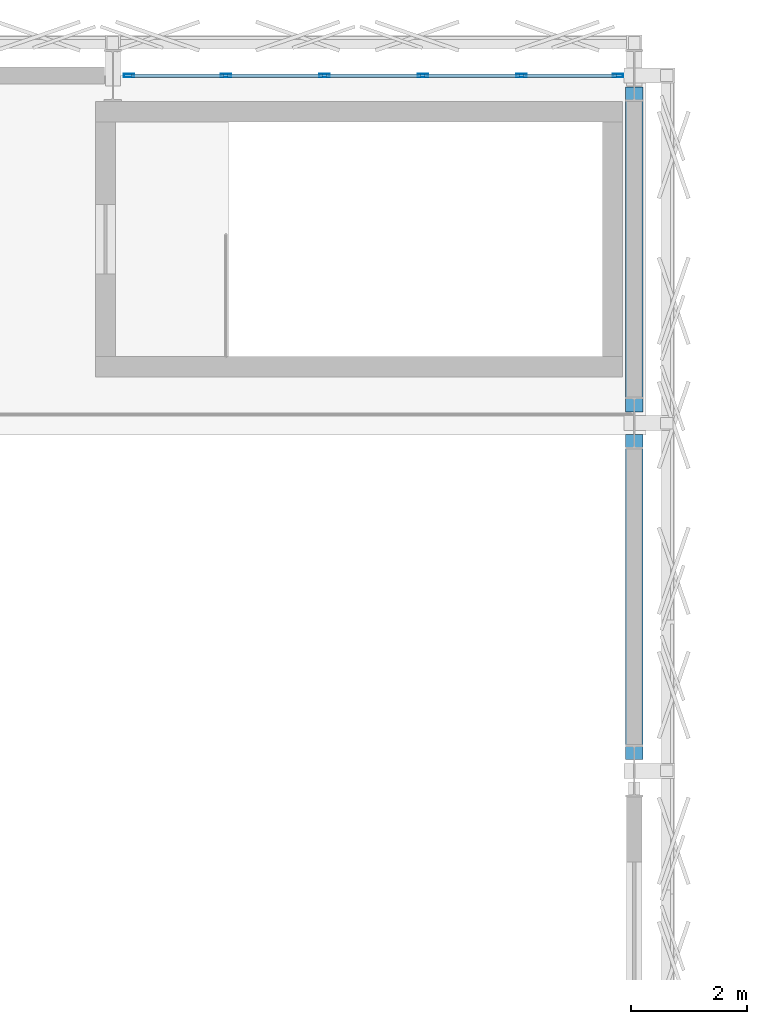
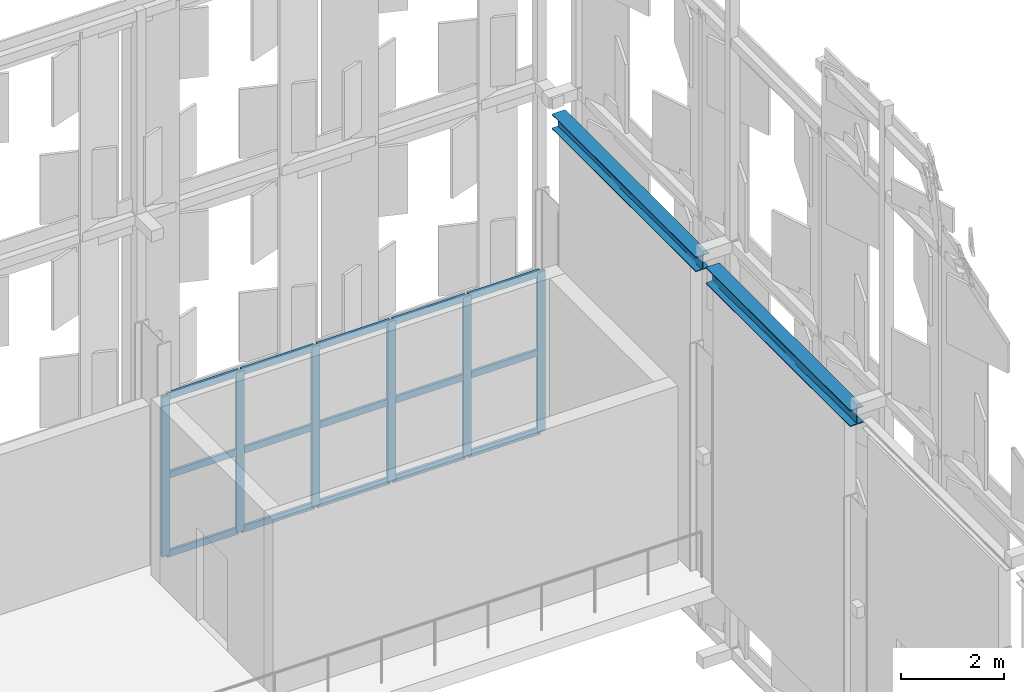
# One storey, part 89 of 210: 21 members, 2 beams, 1 element without a shape of its own.
"""IFC4 building model written with IfcOpenShell, lengths in metres."""

from ifc_helpers import new_model, si_unit, direction, frame, origin, origin_2d, place, context, subcontext, project, spatial, hollow_rectangle, i_section, extrude, material, material_profile, profile_set, type_object, element, aggregate, save


model = new_model("IFC4")

# Units and contexts
model_context = context("Model", 3, precision=1e-05, world=origin(), true_north=direction((0.0, 1.0)))
body_context = subcontext(model_context, "Body", "Model", "MODEL_VIEW")
ifc_project = project(units=[si_unit("LENGTHUNIT", "METRE"), si_unit("AREAUNIT", "SQUARE_METRE"), si_unit("VOLUMEUNIT", "CUBIC_METRE"), si_unit("PLANEANGLEUNIT", "RADIAN"), si_unit("MASSUNIT", "GRAM", prefix="KILO")], contexts=[model_context])

# Site, building, storey
site_placement = place(None, origin())
site = spatial("IfcSite", under=ifc_project, at=site_placement, CompositionType="ELEMENT")
building_placement = place(site_placement, origin())
building = spatial("IfcBuilding", under=site, at=building_placement, Name="Kaldris Quays Convention Centre", CompositionType="ELEMENT")
storey_placement = place(building_placement, frame((0.0, 0.0, 6.0)))
storey = spatial("IfcBuildingStorey", under=building, at=storey_placement, Name="L01", CompositionType="ELEMENT", Elevation=6.0)

# Curtain wall, members
ifc_material_1 = material(Name="Anodized aluminium AW-6060 and triple glazing", Category="aluminium")
curtain_wall_type = type_object("IfcCurtainWallType", Name="UNITISED CURTAIN WALL CW05", PredefinedType="NOTDEFINED", material=ifc_material_1)
curtain_wall_placement = place(storey_placement, origin())
curtain_wall = element("IfcCurtainWall", 1, at=curtain_wall_placement, inside=storey, type_object=curtain_wall_type, Name="L01 Unitised Curtain Wall CW05 14", PredefinedType="NOTDEFINED")
ifc_material_2 = material(Name="Anodized aluminium AW-6060", Category="aluminium")
ifc_material_profile_1 = material_profile(ifc_material_2, hollow_rectangle(XDim=0.06005859375, YDim=0.179931640625, WallThickness=0.0048828125, at=origin_2d()), Name="RHS 180x60x5")
ifc_profile_set_1 = profile_set([ifc_material_profile_1], Name="Anodized aluminium AW-6060")
member_type_1 = type_object("IfcMemberType", Name="CURTAIN MULLION CWM2", PredefinedType="MULLION", material=ifc_profile_set_1)
member_1_placement = place(storey_placement, frame((137.280029296875, 140.0, 0.0), z_axis=(0.0, 0.0, 1.0), x_axis=(0.0, 1.0, 0.0)))
member_1 = element("IfcMember", 2, at=member_1_placement, type_object=member_type_1, Name="CW05 mullion 1", PredefinedType="MULLION", context=body_context, shape_type="SweptSolid", body=[
    extrude(hollow_rectangle(XDim=0.06005859375, YDim=0.179931640625, WallThickness=0.0048828125, at=origin_2d()), origin(), (0.0, 0.0, 1.0), 3.800048828125),
])
member_2_placement = place(storey_placement, frame((138.949951171875, 140.0, 0.0), z_axis=(0.0, 0.0, 1.0), x_axis=(0.0, 1.0, 0.0)))
member_2 = element("IfcMember", 3, at=member_2_placement, type_object=member_type_1, Name="CW05 mullion 2", PredefinedType="MULLION", context=body_context, shape_type="SweptSolid", body=[
    extrude(hollow_rectangle(XDim=0.06005859375, YDim=0.179931640625, WallThickness=0.0048828125, at=origin_2d()), origin(), (0.0, 0.0, 1.0), 3.800048828125),
])
member_3_placement = place(storey_placement, frame((140.64990234375, 140.0, 0.0), z_axis=(0.0, 0.0, 1.0), x_axis=(0.0, 1.0, 0.0)))
member_3 = element("IfcMember", 4, at=member_3_placement, type_object=member_type_1, Name="CW05 mullion 3", PredefinedType="MULLION", context=body_context, shape_type="SweptSolid", body=[
    extrude(hollow_rectangle(XDim=0.06005859375, YDim=0.179931640625, WallThickness=0.0048828125, at=origin_2d()), origin(), (0.0, 0.0, 1.0), 3.800048828125),
])
member_4_placement = place(storey_placement, frame((142.35009765625, 140.0, 0.0), z_axis=(0.0, 0.0, 1.0), x_axis=(0.0, 1.0, 0.0)))
member_4 = element("IfcMember", 5, at=member_4_placement, type_object=member_type_1, Name="CW05 mullion 4", PredefinedType="MULLION", context=body_context, shape_type="SweptSolid", body=[
    extrude(hollow_rectangle(XDim=0.06005859375, YDim=0.179931640625, WallThickness=0.0048828125, at=origin_2d()), origin(), (0.0, 0.0, 1.0), 3.800048828125),
])
member_5_placement = place(storey_placement, frame((144.050048828125, 140.0, 0.0), z_axis=(0.0, 0.0, 1.0), x_axis=(0.0, 1.0, 0.0)))
member_5 = element("IfcMember", 6, at=member_5_placement, type_object=member_type_1, Name="CW05 mullion 5", PredefinedType="MULLION", context=body_context, shape_type="SweptSolid", body=[
    extrude(hollow_rectangle(XDim=0.06005859375, YDim=0.179931640625, WallThickness=0.0048828125, at=origin_2d()), origin(), (0.0, 0.0, 1.0), 3.800048828125),
])
member_6_placement = place(storey_placement, frame((145.719970703125, 140.0, 0.0), z_axis=(0.0, 0.0, 1.0), x_axis=(0.0, 1.0, 0.0)))
member_6 = element("IfcMember", 7, at=member_6_placement, type_object=member_type_1, Name="CW05 mullion 6", PredefinedType="MULLION", context=body_context, shape_type="SweptSolid", body=[
    extrude(hollow_rectangle(XDim=0.06005859375, YDim=0.179931640625, WallThickness=0.0048828125, at=origin_2d()), origin(), (0.0, 0.0, 1.0), 3.800048828125),
])
ifc_material_profile_2 = material_profile(ifc_material_2, hollow_rectangle(XDim=0.06005859375, YDim=0.159912109375, WallThickness=0.00390625, at=origin_2d()), Name="RHS 160x60x4")
ifc_profile_set_2 = profile_set([ifc_material_profile_2], Name="Anodized aluminium AW-6060")
member_type_2 = type_object("IfcMemberType", Name="CURTAIN TRANSOM CWT2", PredefinedType="USERDEFINED", material=ifc_profile_set_2)
member_7_placement = place(storey_placement, frame((137.31005859375, 140.0, 0.030029296875), z_axis=(1.0, 0.0, 0.0), x_axis=(0.0, 1.0, 0.0)))
member_7 = element("IfcMember", 8, at=member_7_placement, type_object=member_type_2, Name="CW05 transom 1.1", ObjectType="TRANSOM", PredefinedType="USERDEFINED", context=body_context, shape_type="SweptSolid", body=[
    extrude(hollow_rectangle(XDim=0.06005859375, YDim=0.159912109375, WallThickness=0.00390625, at=origin_2d()), origin(), (0.0, 0.0, 1.0), 1.60986328125),
])
member_8_placement = place(storey_placement, frame((137.31005859375, 140.0, 1.89990234375), z_axis=(1.0, 0.0, 0.0), x_axis=(0.0, 1.0, 0.0)))
member_8 = element("IfcMember", 9, at=member_8_placement, type_object=member_type_2, Name="CW05 transom 1.2", ObjectType="TRANSOM", PredefinedType="USERDEFINED", context=body_context, shape_type="SweptSolid", body=[
    extrude(hollow_rectangle(XDim=0.06005859375, YDim=0.159912109375, WallThickness=0.00390625, at=origin_2d()), origin(), (0.0, 0.0, 1.0), 1.60986328125),
])
member_9_placement = place(storey_placement, frame((137.31005859375, 140.0, 3.77001953125), z_axis=(1.0, 0.0, 0.0), x_axis=(0.0, 1.0, 0.0)))
member_9 = element("IfcMember", 10, at=member_9_placement, type_object=member_type_2, Name="CW05 transom 1.3", ObjectType="TRANSOM", PredefinedType="USERDEFINED", context=body_context, shape_type="SweptSolid", body=[
    extrude(hollow_rectangle(XDim=0.06005859375, YDim=0.159912109375, WallThickness=0.00390625, at=origin_2d()), origin(), (0.0, 0.0, 1.0), 1.60986328125),
])
member_10_placement = place(storey_placement, frame((138.97998046875, 140.0, 0.030029296875), z_axis=(1.0, 0.0, 0.0), x_axis=(0.0, 1.0, 0.0)))
member_10 = element("IfcMember", 11, at=member_10_placement, type_object=member_type_2, Name="CW05 transom 2.1", ObjectType="TRANSOM", PredefinedType="USERDEFINED", context=body_context, shape_type="SweptSolid", body=[
    extrude(hollow_rectangle(XDim=0.06005859375, YDim=0.159912109375, WallThickness=0.00390625, at=origin_2d()), origin(), (0.0, 0.0, 1.0), 1.64013671875),
])
member_11_placement = place(storey_placement, frame((138.97998046875, 140.0, 1.89990234375), z_axis=(1.0, 0.0, 0.0), x_axis=(0.0, 1.0, 0.0)))
member_11 = element("IfcMember", 12, at=member_11_placement, type_object=member_type_2, Name="CW05 transom 2.2", ObjectType="TRANSOM", PredefinedType="USERDEFINED", context=body_context, shape_type="SweptSolid", body=[
    extrude(hollow_rectangle(XDim=0.06005859375, YDim=0.159912109375, WallThickness=0.00390625, at=origin_2d()), origin(), (0.0, 0.0, 1.0), 1.64013671875),
])
member_12_placement = place(storey_placement, frame((138.97998046875, 140.0, 3.77001953125), z_axis=(1.0, 0.0, 0.0), x_axis=(0.0, 1.0, 0.0)))
member_12 = element("IfcMember", 13, at=member_12_placement, type_object=member_type_2, Name="CW05 transom 2.3", ObjectType="TRANSOM", PredefinedType="USERDEFINED", context=body_context, shape_type="SweptSolid", body=[
    extrude(hollow_rectangle(XDim=0.06005859375, YDim=0.159912109375, WallThickness=0.00390625, at=origin_2d()), origin(), (0.0, 0.0, 1.0), 1.64013671875),
])
member_13_placement = place(storey_placement, frame((140.679931640625, 140.0, 0.030029296875), z_axis=(1.0, 0.0, 0.0), x_axis=(0.0, 1.0, 0.0)))
member_13 = element("IfcMember", 14, at=member_13_placement, type_object=member_type_2, Name="CW05 transom 3.1", ObjectType="TRANSOM", PredefinedType="USERDEFINED", context=body_context, shape_type="SweptSolid", body=[
    extrude(hollow_rectangle(XDim=0.06005859375, YDim=0.159912109375, WallThickness=0.00390625, at=origin_2d()), origin(), (0.0, 0.0, 1.0), 1.64013671875),
])
member_14_placement = place(storey_placement, frame((140.679931640625, 140.0, 1.89990234375), z_axis=(1.0, 0.0, 0.0), x_axis=(0.0, 1.0, 0.0)))
member_14 = element("IfcMember", 15, at=member_14_placement, type_object=member_type_2, Name="CW05 transom 3.2", ObjectType="TRANSOM", PredefinedType="USERDEFINED", context=body_context, shape_type="SweptSolid", body=[
    extrude(hollow_rectangle(XDim=0.06005859375, YDim=0.159912109375, WallThickness=0.00390625, at=origin_2d()), origin(), (0.0, 0.0, 1.0), 1.64013671875),
])
member_15_placement = place(storey_placement, frame((140.679931640625, 140.0, 3.77001953125), z_axis=(1.0, 0.0, 0.0), x_axis=(0.0, 1.0, 0.0)))
member_15 = element("IfcMember", 16, at=member_15_placement, type_object=member_type_2, Name="CW05 transom 3.3", ObjectType="TRANSOM", PredefinedType="USERDEFINED", context=body_context, shape_type="SweptSolid", body=[
    extrude(hollow_rectangle(XDim=0.06005859375, YDim=0.159912109375, WallThickness=0.00390625, at=origin_2d()), origin(), (0.0, 0.0, 1.0), 1.64013671875),
])
member_16_placement = place(storey_placement, frame((142.3798828125, 140.0, 0.030029296875), z_axis=(1.0, 0.0, 0.0), x_axis=(0.0, 1.0, 0.0)))
member_16 = element("IfcMember", 17, at=member_16_placement, type_object=member_type_2, Name="CW05 transom 4.1", ObjectType="TRANSOM", PredefinedType="USERDEFINED", context=body_context, shape_type="SweptSolid", body=[
    extrude(hollow_rectangle(XDim=0.06005859375, YDim=0.159912109375, WallThickness=0.00390625, at=origin_2d()), origin(), (0.0, 0.0, 1.0), 1.64013671875),
])
member_17_placement = place(storey_placement, frame((142.3798828125, 140.0, 1.89990234375), z_axis=(1.0, 0.0, 0.0), x_axis=(0.0, 1.0, 0.0)))
member_17 = element("IfcMember", 18, at=member_17_placement, type_object=member_type_2, Name="CW05 transom 4.2", ObjectType="TRANSOM", PredefinedType="USERDEFINED", context=body_context, shape_type="SweptSolid", body=[
    extrude(hollow_rectangle(XDim=0.06005859375, YDim=0.159912109375, WallThickness=0.00390625, at=origin_2d()), origin(), (0.0, 0.0, 1.0), 1.64013671875),
])
member_18_placement = place(storey_placement, frame((142.3798828125, 140.0, 3.77001953125), z_axis=(1.0, 0.0, 0.0), x_axis=(0.0, 1.0, 0.0)))
member_18 = element("IfcMember", 19, at=member_18_placement, type_object=member_type_2, Name="CW05 transom 4.3", ObjectType="TRANSOM", PredefinedType="USERDEFINED", context=body_context, shape_type="SweptSolid", body=[
    extrude(hollow_rectangle(XDim=0.06005859375, YDim=0.159912109375, WallThickness=0.00390625, at=origin_2d()), origin(), (0.0, 0.0, 1.0), 1.64013671875),
])
member_19_placement = place(storey_placement, frame((144.080078125, 140.0, 0.030029296875), z_axis=(1.0, 0.0, 0.0), x_axis=(0.0, 1.0, 0.0)))
member_19 = element("IfcMember", 20, at=member_19_placement, type_object=member_type_2, Name="CW05 transom 5.1", ObjectType="TRANSOM", PredefinedType="USERDEFINED", context=body_context, shape_type="SweptSolid", body=[
    extrude(hollow_rectangle(XDim=0.06005859375, YDim=0.159912109375, WallThickness=0.00390625, at=origin_2d()), origin(), (0.0, 0.0, 1.0), 1.60986328125),
])
member_20_placement = place(storey_placement, frame((144.080078125, 140.0, 1.89990234375), z_axis=(1.0, 0.0, 0.0), x_axis=(0.0, 1.0, 0.0)))
member_20 = element("IfcMember", 21, at=member_20_placement, type_object=member_type_2, Name="CW05 transom 5.2", ObjectType="TRANSOM", PredefinedType="USERDEFINED", context=body_context, shape_type="SweptSolid", body=[
    extrude(hollow_rectangle(XDim=0.06005859375, YDim=0.159912109375, WallThickness=0.00390625, at=origin_2d()), origin(), (0.0, 0.0, 1.0), 1.60986328125),
])
member_21_placement = place(storey_placement, frame((144.080078125, 140.0, 3.77001953125), z_axis=(1.0, 0.0, 0.0), x_axis=(0.0, 1.0, 0.0)))
member_21 = element("IfcMember", 22, at=member_21_placement, type_object=member_type_2, Name="CW05 transom 5.3", ObjectType="TRANSOM", PredefinedType="USERDEFINED", context=body_context, shape_type="SweptSolid", body=[
    extrude(hollow_rectangle(XDim=0.06005859375, YDim=0.159912109375, WallThickness=0.00390625, at=origin_2d()), origin(), (0.0, 0.0, 1.0), 1.60986328125),
])
aggregate(curtain_wall, [member_1, member_2, member_3, member_4, member_5, member_6, member_7, member_8, member_9, member_10, member_11, member_12, member_13, member_14, member_15, member_16, member_17, member_18, member_19, member_20, member_21])

# Beams
ifc_material_3 = material(Name="Steel S355J2", Category="steel")
ifc_material_profile_3 = material_profile(ifc_material_3, i_section(OverallWidth=0.300048828125, OverallDepth=0.389892578125, WebThickness=0.010986328125, FlangeThickness=0.01904296875, FilletRadius=0.027099609375, at=origin_2d()), Name="HEA 400")
ifc_profile_set_3 = profile_set([ifc_material_profile_3], Name="Steel S355J2")
beam_type_1 = type_object("IfcBeamType", Name="STRUCTURAL BEAM SP01", PredefinedType="SPANDREL", material=ifc_profile_set_3)
beam_1_placement = place(storey_placement, frame((146.0, 128.195068359375, 7.405029296875), z_axis=(0.0, 1.0, 0.0), x_axis=(-1.0, 0.0, 0.0)))
element("IfcBeam", 23, at=beam_1_placement, inside=storey, type_object=beam_type_1, Name="L01 Perimeter Wall-Bearing Spandrel SP01 67", PredefinedType="SPANDREL", context=body_context, shape_type="SweptSolid", body=[
    extrude(i_section(OverallWidth=0.300048828125, OverallDepth=0.389892578125, WebThickness=0.010986328125, FlangeThickness=0.01904296875, FilletRadius=0.027099609375, at=origin_2d()), origin(), (0.0, 0.0, 1.0), 5.60986328125),
])
ifc_material_profile_4 = material_profile(ifc_material_3, i_section(OverallWidth=0.300048828125, OverallDepth=0.35009765625, WebThickness=0.010009765625, FlangeThickness=0.017578125, FilletRadius=0.027099609375, at=origin_2d()), Name="HEA 360")
ifc_profile_set_4 = profile_set([ifc_material_profile_4], Name="Steel S355J2")
beam_type_2 = type_object("IfcBeamType", Name="STRUCTURAL BEAM SP02", PredefinedType="SPANDREL", material=ifc_profile_set_4)
beam_2_placement = place(storey_placement, frame((146.0, 134.195068359375, 7.425048828125), z_axis=(0.0, 1.0, 0.0), x_axis=(-1.0, 0.0, 0.0)))
element("IfcBeam", 24, at=beam_2_placement, inside=storey, type_object=beam_type_2, Name="L01 Perimeter Wall-Bearing Spandrel SP02 68", PredefinedType="SPANDREL", context=body_context, shape_type="SweptSolid", body=[
    extrude(i_section(OverallWidth=0.300048828125, OverallDepth=0.35009765625, WebThickness=0.010009765625, FlangeThickness=0.017578125, FilletRadius=0.027099609375, at=origin_2d()), origin(), (0.0, 0.0, 1.0), 5.60986328125),
])

save(model, "model.ifc")
